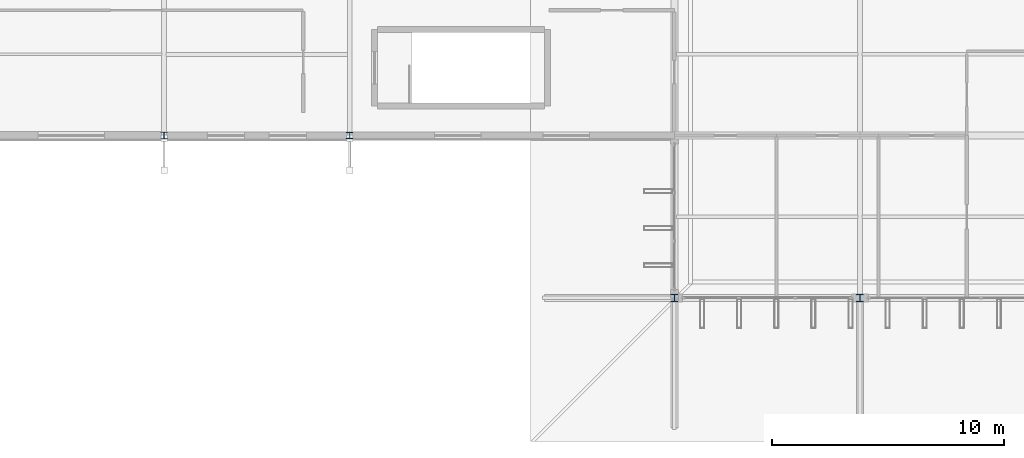
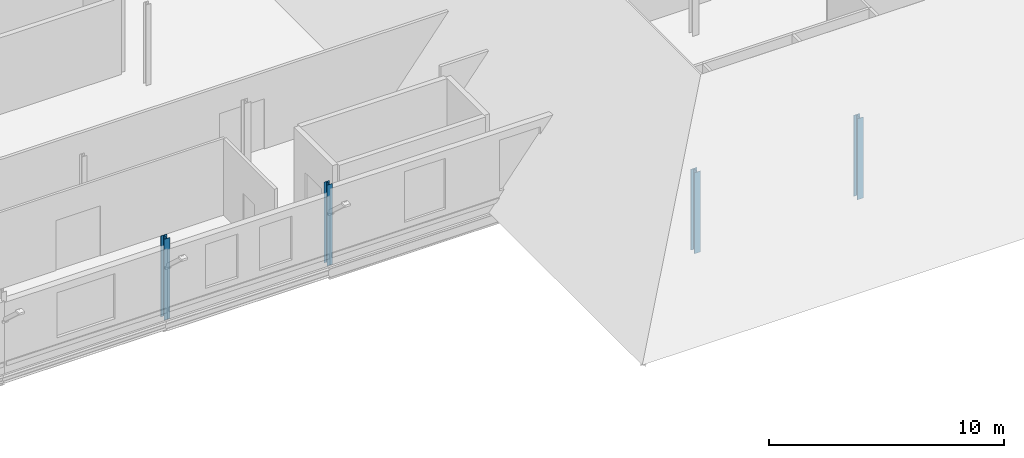
# One storey, part 2 of 93: 4 columns.
"""IFC4 building model written with IfcOpenShell, lengths in metres."""

import ifcopenshell
import ifcopenshell.guid

model = None  # the IFC model being written
_history = None  # IfcOwnerHistory: only IFC2X3 demands one
_inside = {}  # id of a spatial element -> (the spatial element, [elements in it])
_under = {}  # id of a project, library or spatial element -> (it, [spatial elements below it])
_declared = {}  # id of a project -> (the project, [libraries it declares])
_typed = {}  # id of a type object -> (the type object, [elements of that type])
_made_of = {}  # id of a material, layer set ... -> (it, [elements and type objects made of it])


def new_model(schema):
    """Start an empty IFC model of exactly this schema.

    Asked for "IFC4X3", IfcOpenShell would pick the latest addendum, in which some entities
    have other attributes; the version numbers below select the first issue.
    IFC2X3 requires an IfcOwnerHistory on every rooted entity: one is made here for all.
    """
    global model, _history
    if schema == "IFC4X3":
        model = ifcopenshell.file(schema_version=(4, 3, 0, 0))
    else:
        model = ifcopenshell.file(schema=schema)
    _inside.clear()
    _under.clear()
    _declared.clear()
    _typed.clear()
    _made_of.clear()
    _history = None
    if model.schema == "IFC2X3":
        org = make("IfcOrganization", Name="unknown")
        user = make(
            "IfcPersonAndOrganization",
            ThePerson=make("IfcPerson", FamilyName="unknown"),
            TheOrganization=org,
        )
        app = make(
            "IfcApplication",
            ApplicationDeveloper=org,
            Version="unknown",
            ApplicationFullName="unknown",
            ApplicationIdentifier="unknown",
        )
        _history = make(
            "IfcOwnerHistory",
            OwningUser=user,
            OwningApplication=app,
            ChangeAction="ADDED",
            CreationDate=0,
        )
    return model


def make(cls, **values):
    """One entity of the class cls with the attributes given. An attribute that is None is left unset."""
    return model.create_entity(
        cls, **{name: value for name, value in values.items() if value is not None}
    )


def rooted(cls, **values):
    """An entity with a GlobalId (a new one), such as an element, a storey or a relation."""
    return make(cls, GlobalId=ifcopenshell.guid.new(), OwnerHistory=_history, **values)


def si_unit(unit_type, name, prefix=None):
    """IfcSIUnit, for example si_unit("LENGTHUNIT", "METRE", prefix="MILLI")."""
    return make("IfcSIUnit", UnitType=unit_type, Prefix=prefix, Name=name)


def assignment(units):
    """IfcUnitAssignment: the units of a project."""
    return None if units is None else make("IfcUnitAssignment", Units=units)


def point(xyz):
    """IfcCartesianPoint."""
    return None if xyz is None else make("IfcCartesianPoint", Coordinates=xyz)


def direction(xyz):
    """IfcDirection."""
    return None if xyz is None else make("IfcDirection", DirectionRatios=xyz)


def frame(location, z_axis=None, x_axis=None):
    """IfcAxis2Placement3D, a coordinate frame: its origin and axes. An axis left out is left unset."""
    return make(
        "IfcAxis2Placement3D",
        Location=point(location),
        Axis=direction(z_axis),
        RefDirection=direction(x_axis),
    )


def frame_2d(location, x_axis=None):
    """IfcAxis2Placement2D, a coordinate frame in the plane: its origin and x axis."""
    return make(
        "IfcAxis2Placement2D", Location=point(location), RefDirection=direction(x_axis)
    )


def origin():
    """The frame at (0, 0, 0) with its axes left unset."""
    return frame((0.0, 0.0, 0.0))


def origin_2d():
    """The frame at (0, 0) in the plane with its x axis left unset."""
    return frame_2d((0.0, 0.0))


def place(relative_to, where):
    """IfcLocalPlacement: puts the frame where relative to a parent placement (None: the world)."""
    return make(
        "IfcLocalPlacement", PlacementRelTo=relative_to, RelativePlacement=where
    )


def context(
    kind, dimensions, precision=None, world=None, true_north=None, identifier=None
):
    """IfcGeometricRepresentationContext, for example the 3D "Model" context."""
    return make(
        "IfcGeometricRepresentationContext",
        ContextIdentifier=identifier,
        ContextType=kind,
        CoordinateSpaceDimension=dimensions,
        Precision=precision,
        WorldCoordinateSystem=world,
        TrueNorth=true_north,
    )


def subcontext(parent, identifier, kind, view, scale=None):
    """IfcGeometricRepresentationSubContext, for example "Body" below "Model"."""
    return make(
        "IfcGeometricRepresentationSubContext",
        ContextIdentifier=identifier,
        ContextType=kind,
        ParentContext=parent,
        TargetScale=scale,
        TargetView=view,
    )


def project(units=None, contexts=None):
    """IfcProject with its units and contexts."""
    return rooted(
        "IfcProject",
        Name="project",
        RepresentationContexts=contexts,
        UnitsInContext=assignment(units),
    )


def spatial(cls, under=None, at=None, **own):
    """A site, building, storey or space (cls), placed at a placement, below another one or the project."""
    s = rooted(cls, ObjectPlacement=at, **own)
    if under is not None:
        _under.setdefault(under.id(), (under, []))[1].append(s)
    return s


def profile(cls, at=None, kind="AREA", **sizes):
    """A parametric profile (cls). Its sizes go by their IFC names, for example OverallWidth=200.0."""
    return make(cls, ProfileType=kind, Position=at, **sizes)


def i_section(**sizes):
    """IfcIShapeProfileDef."""
    return profile("IfcIShapeProfileDef", **sizes)


def extrude(swept, where, along, depth):
    """IfcExtrudedAreaSolid: the profile swept, set in the frame where, extruded along a direction by depth."""
    return make(
        "IfcExtrudedAreaSolid",
        SweptArea=swept,
        Position=where,
        ExtrudedDirection=direction(along),
        Depth=depth,
    )


def shape(context_of_items, identifier, shape_type, items):
    """IfcShapeRepresentation: the items that make up one representation, for example the "Body"."""
    return make(
        "IfcShapeRepresentation",
        ContextOfItems=context_of_items,
        RepresentationIdentifier=identifier,
        RepresentationType=shape_type,
        Items=items,
    )


def material(Name=None, Category=None):
    """IfcMaterial."""
    return make("IfcMaterial", Name=Name, Category=Category)


def material_profile(
    of_material, cross_section, Name=None, Category=None, Priority=None
):
    """IfcMaterialProfile: a cross section and its material."""
    return make(
        "IfcMaterialProfile",
        Name=Name,
        Material=of_material,
        Profile=cross_section,
        Priority=Priority,
        Category=Category,
    )


def profile_set(profiles, Name=None, composite=None):
    """IfcMaterialProfileSet."""
    return make(
        "IfcMaterialProfileSet",
        Name=Name,
        MaterialProfiles=profiles,
        CompositeProfile=composite,
    )


def made_of(thing, what):
    """Note that an element or type object is made of a material, layer set ...; save() writes the relation."""
    if what is not None:
        _made_of.setdefault(what.id(), (what, []))[1].append(thing)
    return thing


def type_object(cls, material=None, **own):
    """A type object (cls), such as IfcWallType, which elements share."""
    return made_of(rooted(cls, **own), material)


def element(
    cls,
    number,
    at=None,
    inside=None,
    cuts=None,
    type_object=None,
    material=None,
    context=None,
    identifier="Body",
    shape_type=None,
    held_by="IfcProductDefinitionShape",
    body=None,
    shapes=None,
    **own,
):
    """One element of the class cls, such as IfcWall. Its Tag is "e" and its number.

    at: its placement. inside: the storey or other place that contains it. cuts: it is an
    opening in that element (IfcRelVoidsElement). A single representation is given by context,
    identifier, shape_type and body (its items); several are given by shapes. held_by: the class
    of the entity that holds the representations. save() writes the other relations.
    """
    e = rooted(cls, Tag="e%d" % number, ObjectPlacement=at, **own)
    if body is not None:
        shapes = [shape(context, identifier, shape_type, body)]
    if shapes is not None:
        e.Representation = make(held_by, Representations=shapes)
    if inside is not None:
        _inside.setdefault(inside.id(), (inside, []))[1].append(e)
    if cuts is not None:
        rooted(
            "IfcRelVoidsElement", RelatingBuildingElement=cuts, RelatedOpeningElement=e
        )
    if type_object is not None:
        _typed.setdefault(type_object.id(), (type_object, []))[1].append(e)
    return made_of(e, material)


def aggregate(whole, parts):
    """IfcRelAggregates: a whole, such as a stair, and the parts it consists of."""
    return rooted("IfcRelAggregates", RelatingObject=whole, RelatedObjects=parts)


def save(model, path):
    """Write the relations noted so far, then the file.

    IfcRelAggregates (storeys below a building ...), IfcRelContainedInSpatialStructure (elements
    in a storey), IfcRelDefinesByType, IfcRelAssociatesMaterial and IfcRelDeclares: one each for
    every whole, place, type object, material and project.
    """
    for whole, parts in _under.values():
        aggregate(whole, parts)
    for where, things in _inside.values():
        rooted(
            "IfcRelContainedInSpatialStructure",
            RelatedElements=things,
            RelatingStructure=where,
        )
    for kind, things in _typed.values():
        rooted("IfcRelDefinesByType", RelatedObjects=things, RelatingType=kind)
    for what, things in _made_of.values():
        rooted("IfcRelAssociatesMaterial", RelatedObjects=things, RelatingMaterial=what)
    for by, libraries in _declared.values():
        rooted("IfcRelDeclares", RelatingContext=by, RelatedDefinitions=libraries)
    model.write(path)


model = new_model("IFC4")

# Units and contexts
model_context = context("Model", 3, precision=1e-05, world=origin(), true_north=direction((0.0, 1.0)))
body_context = subcontext(model_context, "Body", "Model", "MODEL_VIEW")
ifc_project = project(units=[si_unit("LENGTHUNIT", "METRE"), si_unit("AREAUNIT", "SQUARE_METRE"), si_unit("VOLUMEUNIT", "CUBIC_METRE"), si_unit("PLANEANGLEUNIT", "RADIAN"), si_unit("MASSUNIT", "GRAM", prefix="KILO")], contexts=[model_context])

# Site, building, storey
site_placement = place(None, origin())
site = spatial("IfcSite", under=ifc_project, at=site_placement, CompositionType="ELEMENT")
building_placement = place(site_placement, origin())
building = spatial("IfcBuilding", under=site, at=building_placement, Name="Vekula Escarpment Museum", CompositionType="ELEMENT")
storey_placement = place(building_placement, frame((0.0, 0.0, 22.199951171875)))
storey = spatial("IfcBuildingStorey", under=building, at=storey_placement, Name="L05", CompositionType="ELEMENT", Elevation=22.199951171875)

# Columns
ifc_material_1 = material(Name="Steel S355", Category="steel")
ifc_material_profile_1 = material_profile(ifc_material_1, i_section(OverallWidth=0.280029296875, OverallDepth=0.27001953125, WebThickness=0.008056640625, FlangeThickness=0.012939453125, FilletRadius=0.02392578125, at=origin_2d()), Name="HEA 280")
ifc_profile_set_1 = profile_set([ifc_material_profile_1], Name="Steel S355")
column_type_1 = type_object("IfcColumnType", Name="COL-S-HEA280", PredefinedType="COLUMN", material=ifc_profile_set_1)
column_1_placement = place(storey_placement, frame((56.0, 52.60009765625, 0.0), z_axis=(0.0, 0.0, 1.0), x_axis=(1.0, 0.0, 0.0)))
element("IfcColumn", 1, at=column_1_placement, inside=storey, type_object=column_type_1, Name="Column L05 (56.0,52.6)", PredefinedType="COLUMN", context=body_context, shape_type="SweptSolid", body=[
    extrude(i_section(OverallWidth=0.280029296875, OverallDepth=0.27001953125, WebThickness=0.008056640625, FlangeThickness=0.012939453125, FilletRadius=0.02392578125, at=origin_2d()), origin(), (0.0, 0.0, 1.0), 4.199951171875),
])
ifc_material_2 = material(Name="Steel S355", Category="steel")
ifc_material_profile_2 = material_profile(ifc_material_2, i_section(OverallWidth=0.300048828125, OverallDepth=0.300048828125, WebThickness=0.010986328125, FlangeThickness=0.01904296875, FilletRadius=0.027099609375, at=origin_2d()), Name="HEB 300")
ifc_profile_set_2 = profile_set([ifc_material_profile_2], Name="Steel S355")
column_type_2 = type_object("IfcColumnType", Name="COL-S-HEB300", PredefinedType="COLUMN", material=ifc_profile_set_2)
column_2_placement = place(storey_placement, frame((48.0, 52.60009765625, 0.0), z_axis=(0.0, 0.0, 1.0), x_axis=(1.0, 0.0, 0.0)))
element("IfcColumn", 2, at=column_2_placement, inside=storey, type_object=column_type_2, Name="Column L05 (48.0,52.6)", PredefinedType="COLUMN", context=body_context, shape_type="SweptSolid", body=[
    extrude(i_section(OverallWidth=0.300048828125, OverallDepth=0.300048828125, WebThickness=0.010986328125, FlangeThickness=0.01904296875, FilletRadius=0.027099609375, at=origin_2d()), origin(), (0.0, 0.0, 1.0), 4.199951171875),
])
ifc_material_3 = material(Name="Steel S355", Category="steel")
ifc_material_profile_3 = material_profile(ifc_material_3, i_section(OverallWidth=0.300048828125, OverallDepth=0.320068359375, WebThickness=0.011474609375, FlangeThickness=0.0205078125, FilletRadius=0.027099609375, at=origin_2d()), Name="HEB 320")
ifc_profile_set_3 = profile_set([ifc_material_profile_3], Name="Steel S355")
column_type_3 = type_object("IfcColumnType", Name="COL-S-HEB320", PredefinedType="COLUMN", material=ifc_profile_set_3)
for number, where, z_axis, x_axis, name in (
    (3, (70.0, 45.60009765625, 0.0), (0.0, 0.0, 1.0), (1.0, 0.0, 0.0), "Column L05 (70.0,45.6)"),
    (4, (78.0, 45.60009765625, 0.0), (0.0, 0.0, 1.0), (1.0, 0.0, 0.0), "Column L05 (78.0,45.6)"),
):
    element("IfcColumn", number, at=place(storey_placement, frame(where, z_axis=z_axis, x_axis=x_axis)), inside=storey, type_object=column_type_3, Name=name, PredefinedType="COLUMN", context=body_context, shape_type="SweptSolid", body=[
        extrude(i_section(OverallWidth=0.300048828125, OverallDepth=0.320068359375, WebThickness=0.011474609375, FlangeThickness=0.0205078125, FilletRadius=0.027099609375, at=origin_2d()), origin(), (0.0, 0.0, 1.0), 4.199951171875),
    ])

save(model, "model.ifc")
